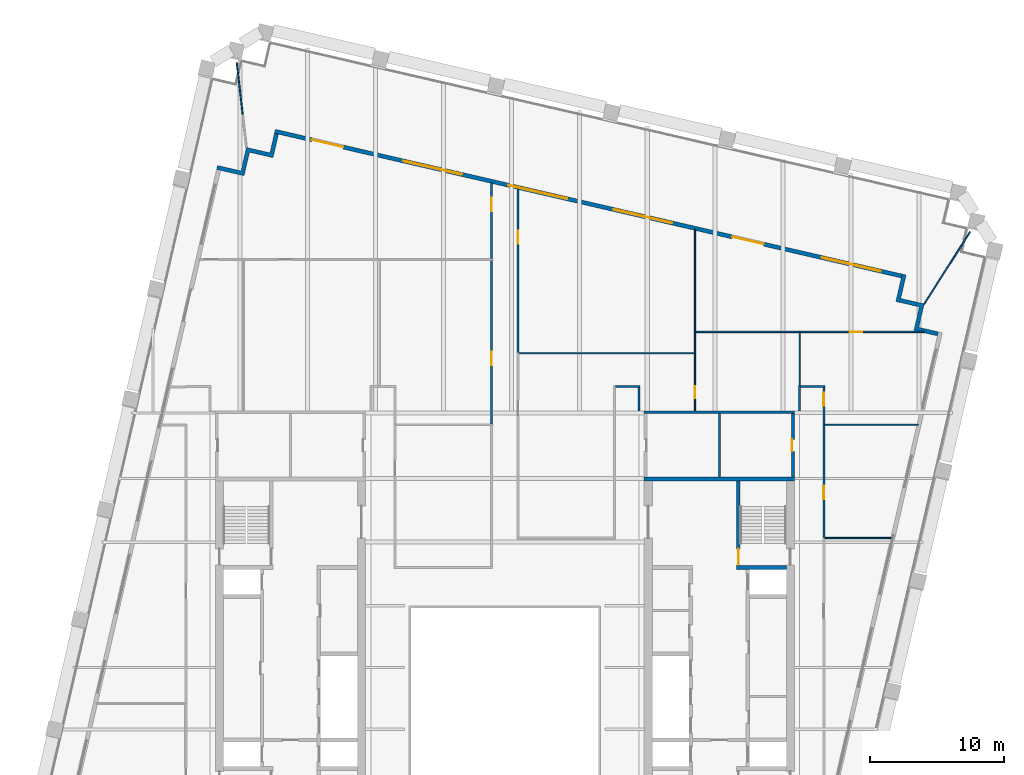
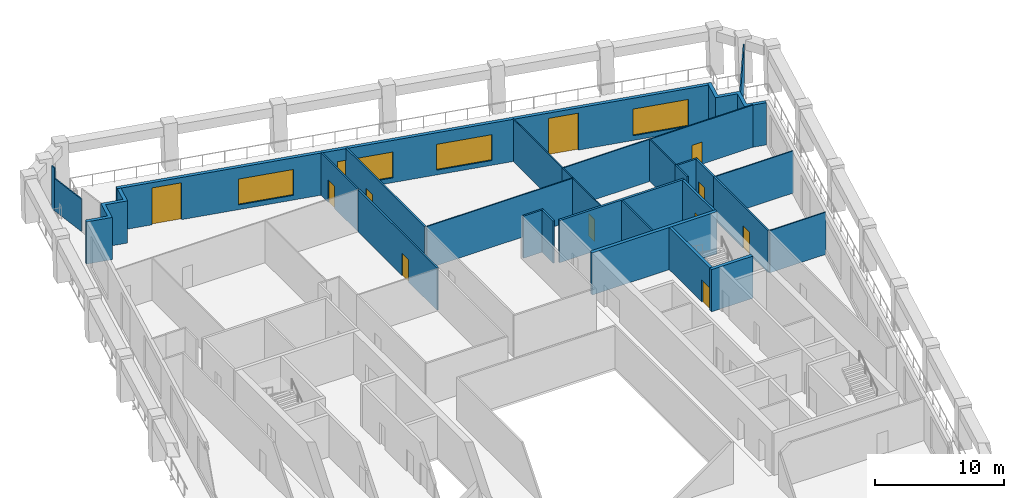
# One storey, part 7 of 9: 30 walls, 11 doors, 4 windows, 15 openings.
"""IFC4 building model written with IfcOpenShell, lengths in metres."""

from ifc_helpers import new_model, si_unit, direction, frame, frame_2d, origin, place, context, subcontext, project, spatial, polyline, rectangle, outline, extrude, material, layer, layer_set, type_object, element, fill, save


model = new_model("IFC4")

# Units and contexts
model_context = context("Model", 3, precision=1e-05, world=origin(), true_north=direction((0.0, 1.0)))
body_context = subcontext(model_context, "Body", "Model", "MODEL_VIEW")
ifc_project = project(units=[si_unit("LENGTHUNIT", "METRE"), si_unit("AREAUNIT", "SQUARE_METRE"), si_unit("VOLUMEUNIT", "CUBIC_METRE"), si_unit("PLANEANGLEUNIT", "RADIAN"), si_unit("MASSUNIT", "GRAM", prefix="KILO")], contexts=[model_context])

# Site, building, storey
site_placement = place(None, origin())
site = spatial("IfcSite", under=ifc_project, at=site_placement, CompositionType="ELEMENT")
building_placement = place(site_placement, origin())
building = spatial("IfcBuilding", under=site, at=building_placement, Name="Ogive Exchange Tower", CompositionType="ELEMENT")
storey_placement = place(building_placement, frame((0.0, 0.0, 285.0)))
storey = spatial("IfcBuildingStorey", under=building, at=storey_placement, Name="L62", CompositionType="ELEMENT", Elevation=285.0)

# Wall
ifc_material_1 = material(Name="Gypsum board partition")
ifc_layer_1 = layer(ifc_material_1, 0.14990234375)
ifc_layer_set_1 = layer_set([ifc_layer_1], Name="Core room partition 150 gypsum")
wall_type_1 = type_object("IfcWallType", Name="Core room partition 150 gypsum", PredefinedType="PARTITIONING", material=ifc_layer_set_1)
wall_1_placement = place(storey_placement, frame((16.0, 25.75, 0.0), z_axis=(0.0, 0.0, 1.0), x_axis=(0.0, 1.0, 0.0)))
element("IfcWall", 1, at=wall_1_placement, inside=storey, type_object=wall_type_1, Name="E annex N column wall", PredefinedType="PARTITIONING", context=body_context, shape_type="SweptSolid", body=[
    extrude(rectangle(XDim=4.75, YDim=0.14990234375, at=frame_2d((2.375, 0.0))), origin(), (0.0, 0.0, 1.0), 4.0),
])

# Wall, opening, door
ifc_material_2 = material(Name="Fire partition EI 60 150")
ifc_layer_2 = layer(ifc_material_2, 0.14990234375)
ifc_layer_set_2 = layer_set([ifc_layer_2], Name="Fire partition EI 60 150")
wall_type_2 = type_object("IfcWallType", Name="Fire partition EI 60 150", PredefinedType="PARTITIONING", material=ifc_layer_set_2)
wall_2_placement = place(storey_placement, frame((-0.989990234375, 29.7099609375, 0.0), z_axis=(0.0, 0.0, 1.0), x_axis=(0.0, 1.0, 0.0)))
wall_2 = element("IfcWall", 2, at=wall_2_placement, inside=storey, type_object=wall_type_2, Name="L62-PWL-025", PredefinedType="PARTITIONING", context=body_context, shape_type="SweptSolid", body=[
    extrude(rectangle(XDim=12.239990234375, YDim=0.14990234375, at=frame_2d((6.1201171875, 0.0))), origin(), (0.0, 0.0, 1.0), 4.0),
])
opening_1_placement = place(wall_2_placement, frame((4.389892578125, 0.0, 0.0)))
opening_1 = element("IfcOpeningElement", 3, at=opening_1_placement, cuts=wall_2, Name="Opening L62-I12", PredefinedType="OPENING", context=body_context, shape_type="SweptSolid", body=[
    extrude(rectangle(XDim=1.0, YDim=2.10009765625, at=frame_2d((0.5, 1.050048828125))), frame((0.0, 0.0849609375, 0.0), z_axis=(0.0, -1.0, 0.0), x_axis=(1.0, 0.0, 0.0)), (0.0, 0.0, 1.0), 0.169921875),
])
ifc_material_3 = material(Name="Fire door FD 30S 1000 x 2100")
door_type_1 = type_object("IfcDoorType", Name="Fire door FD 30S 1000 x 2100", OperationType="NOTDEFINED", PredefinedType="DOOR", material=ifc_material_3)
door_1_placement = place(opening_1_placement, origin())
door_1 = element("IfcDoor", 4, at=door_1_placement, inside=storey, type_object=door_type_1, Name="L62-IDR-012", ObjectType="DT3", OperationType="SINGLE_SWING_LEFT", OverallHeight=2.10009765625, OverallWidth=1.0, PredefinedType="DOOR", context=body_context, shape_type="SweptSolid", body=[
    extrude(rectangle(XDim=1.0, YDim=2.10009765625, at=frame_2d((0.5, 1.050048828125))), frame((0.0, 0.02490234375, 0.0), z_axis=(0.0, -1.0, 0.0), x_axis=(1.0, 0.0, 0.0)), (0.0, 0.0, 1.0), 0.050048828125),
])
fill(opening_1, door_1)

wall_3_placement = place(storey_placement, frame((-0.989990234375, 42.050048828125, 0.0), z_axis=(0.0, 0.0, 1.0), x_axis=(0.0, 1.0, 0.0)))
wall_3 = element("IfcWall", 5, at=wall_3_placement, inside=storey, type_object=wall_type_2, Name="L62-PWL-026", PredefinedType="PARTITIONING", context=body_context, shape_type="SweptSolid", body=[
    extrude(rectangle(XDim=5.702880859375, YDim=0.14990234375, at=frame_2d((2.8515625, 0.0))), origin(), (0.0, 0.0, 1.0), 4.0),
])
opening_2_placement = place(wall_3_placement, frame((3.530029296875, 0.0, 0.0)))
opening_2 = element("IfcOpeningElement", 6, at=opening_2_placement, cuts=wall_3, Name="Opening L62-I13", PredefinedType="OPENING", context=body_context, shape_type="SweptSolid", body=[
    extrude(rectangle(XDim=1.0, YDim=2.10009765625, at=frame_2d((0.5, 1.050048828125))), frame((0.0, 0.0849609375, 0.0), z_axis=(0.0, -1.0, 0.0), x_axis=(1.0, 0.0, 0.0)), (0.0, 0.0, 1.0), 0.169921875),
])
door_2_placement = place(opening_2_placement, origin())
door_2 = element("IfcDoor", 7, at=door_2_placement, inside=storey, type_object=door_type_1, Name="L62-IDR-013", ObjectType="DT3", OperationType="SINGLE_SWING_LEFT", OverallHeight=2.10009765625, OverallWidth=1.0, PredefinedType="DOOR", context=body_context, shape_type="SweptSolid", body=[
    extrude(rectangle(XDim=1.0, YDim=2.10009765625, at=frame_2d((0.5, 1.050048828125))), frame((0.0, 0.02490234375, 0.0), z_axis=(0.0, -1.0, 0.0), x_axis=(1.0, 0.0, 0.0)), (0.0, 0.0, 1.0), 0.050048828125),
])
fill(opening_2, door_2)

wall_4_placement = place(storey_placement, frame((0.989990234375, 47.2958984375, 0.0), z_axis=(0.0, 0.0, 1.0), x_axis=(0.0, -1.0, 0.0)))
wall_4 = element("IfcWall", 8, at=wall_4_placement, inside=storey, type_object=wall_type_2, Name="L62-PWL-030", PredefinedType="PARTITIONING", context=body_context, shape_type="SweptSolid", body=[
    extrude(rectangle(XDim=12.245849609375, YDim=0.14990234375, at=frame_2d((6.123046875, 0.0))), origin(), (0.0, 0.0, 1.0), 4.0),
])
opening_3_placement = place(wall_4_placement, frame((3.14599609375, 0.0, 0.0)))
opening_3 = element("IfcOpeningElement", 9, at=opening_3_placement, cuts=wall_4, Name="Opening L62-I03", PredefinedType="OPENING", context=body_context, shape_type="SweptSolid", body=[
    extrude(rectangle(XDim=1.0, YDim=2.10009765625, at=frame_2d((0.5, 1.050048828125))), frame((0.0, 0.0849609375, 0.0), z_axis=(0.0, -1.0, 0.0), x_axis=(1.0, 0.0, 0.0)), (0.0, 0.0, 1.0), 0.169921875),
])
door_3_placement = place(opening_3_placement, origin())
door_3 = element("IfcDoor", 10, at=door_3_placement, inside=storey, type_object=door_type_1, Name="L62-IDR-003", ObjectType="DT3", OperationType="SINGLE_SWING_RIGHT", OverallHeight=2.10009765625, OverallWidth=1.0, PredefinedType="DOOR", context=body_context, shape_type="SweptSolid", body=[
    extrude(rectangle(XDim=1.0, YDim=2.10009765625, at=frame_2d((0.5, 1.050048828125))), frame((0.0, 0.02490234375, 0.0), z_axis=(0.0, -1.0, 0.0), x_axis=(1.0, 0.0, 0.0)), (0.0, 0.0, 1.0), 0.050048828125),
])
fill(opening_3, door_3)

# Walls
wall_5_placement = place(storey_placement, frame((8.27490234375, 32.5, 0.0), z_axis=(0.0, 0.0, 1.0), x_axis=(1.0, 0.0, 0.0)))
element("IfcWall", 11, at=wall_5_placement, inside=storey, type_object=wall_type_2, Name="L62-PWL-032", PredefinedType="PARTITIONING", context=body_context, shape_type="SweptSolid", body=[
    extrude(rectangle(XDim=1.800048828125, YDim=0.14990234375, at=frame_2d((0.89990234375, 0.0))), origin(), (0.0, 0.0, 1.0), 4.0),
])
wall_6_placement = place(storey_placement, frame((10.0, 32.425048828125, 0.0), z_axis=(0.0, 0.0, 1.0), x_axis=(0.0, -1.0, 0.0)))
element("IfcWall", 12, at=wall_6_placement, inside=storey, type_object=wall_type_2, Name="L62-PWL-035", PredefinedType="PARTITIONING", context=body_context, shape_type="SweptSolid", body=[
    extrude(rectangle(XDim=1.72509765625, YDim=0.14990234375, at=frame_2d((0.862548828125, 0.0))), origin(), (0.0, 0.0, 1.0), 4.0),
])
wall_7_placement = place(storey_placement, frame((22.0, 30.699951171875, 0.0), z_axis=(0.0, 0.0, 1.0), x_axis=(0.0, 1.0, 0.0)))
element("IfcWall", 13, at=wall_7_placement, inside=storey, type_object=wall_type_2, Name="L62-PWL-041", PredefinedType="PARTITIONING", context=body_context, shape_type="SweptSolid", body=[
    extrude(rectangle(XDim=1.875, YDim=0.14990234375, at=frame_2d((0.9375, 0.0))), origin(), (0.0, 0.0, 1.0), 4.0),
])
wall_8_placement = place(storey_placement, frame((22.074951171875, 32.5, 0.0), z_axis=(0.0, 0.0, 1.0), x_axis=(1.0, 0.0, 0.0)))
element("IfcWall", 14, at=wall_8_placement, inside=storey, type_object=wall_type_2, Name="L62-PWL-042", PredefinedType="PARTITIONING", context=body_context, shape_type="SweptSolid", body=[
    extrude(rectangle(XDim=1.800048828125, YDim=0.14990234375, at=frame_2d((0.89990234375, 0.0))), origin(), (0.0, 0.0, 1.0), 4.0),
])

# Wall, opening, door
wall_9_placement = place(storey_placement, frame((23.800048828125, 29.7099609375, 0.0), z_axis=(0.0, 0.0, 1.0), x_axis=(0.0, -1.0, 0.0)))
wall_9 = element("IfcWall", 15, at=wall_9_placement, inside=storey, type_object=wall_type_2, Name="L62-PWL-049", PredefinedType="PARTITIONING", context=body_context, shape_type="SweptSolid", body=[
    extrude(rectangle(XDim=8.449951171875, YDim=0.14990234375, at=frame_2d((4.22509765625, 0.0))), origin(), (0.0, 0.0, 1.0), 4.0),
])
opening_4_placement = place(wall_9_placement, frame((4.60009765625, 0.0, 0.0)))
opening_4 = element("IfcOpeningElement", 16, at=opening_4_placement, cuts=wall_9, Name="Opening L62-I06", PredefinedType="OPENING", context=body_context, shape_type="SweptSolid", body=[
    extrude(rectangle(XDim=1.0, YDim=2.10009765625, at=frame_2d((0.5, 1.050048828125))), frame((0.0, 0.0849609375, 0.0), z_axis=(0.0, -1.0, 0.0), x_axis=(1.0, 0.0, 0.0)), (0.0, 0.0, 1.0), 0.169921875),
])
door_4_placement = place(opening_4_placement, origin())
door_4 = element("IfcDoor", 17, at=door_4_placement, inside=storey, type_object=door_type_1, Name="L62-IDR-006", ObjectType="DT3", OperationType="SINGLE_SWING_LEFT", OverallHeight=2.10009765625, OverallWidth=1.0, PredefinedType="DOOR", context=body_context, shape_type="SweptSolid", body=[
    extrude(rectangle(XDim=1.0, YDim=2.10009765625, at=frame_2d((0.5, 1.050048828125))), frame((0.0, 0.02490234375, 0.0), z_axis=(0.0, -1.0, 0.0), x_axis=(1.0, 0.0, 0.0)), (0.0, 0.0, 1.0), 0.050048828125),
])
fill(opening_4, door_4)

wall_10_placement = place(storey_placement, frame((23.800048828125, 32.425048828125, 0.0), z_axis=(0.0, 0.0, 1.0), x_axis=(0.0, -1.0, 0.0)))
wall_10 = element("IfcWall", 18, at=wall_10_placement, inside=storey, type_object=wall_type_2, Name="L62-PWL-051", PredefinedType="PARTITIONING", context=body_context, shape_type="SweptSolid", body=[
    extrude(rectangle(XDim=2.715087890625, YDim=0.14990234375, at=frame_2d((1.357421875, 0.0))), origin(), (0.0, 0.0, 1.0), 4.0),
])
opening_5_placement = place(wall_10_placement, frame((0.364990234375, 0.0, 0.0)))
opening_5 = element("IfcOpeningElement", 19, at=opening_5_placement, cuts=wall_10, Name="Opening L62-I07", PredefinedType="OPENING", context=body_context, shape_type="SweptSolid", body=[
    extrude(rectangle(XDim=1.0, YDim=2.10009765625, at=frame_2d((0.5, 1.050048828125))), frame((0.0, 0.0849609375, 0.0), z_axis=(0.0, -1.0, 0.0), x_axis=(1.0, 0.0, 0.0)), (0.0, 0.0, 1.0), 0.169921875),
])
door_5_placement = place(opening_5_placement, origin())
door_5 = element("IfcDoor", 20, at=door_5_placement, inside=storey, type_object=door_type_1, Name="L62-IDR-007", ObjectType="DT3", OperationType="SINGLE_SWING_LEFT", OverallHeight=2.10009765625, OverallWidth=1.0, PredefinedType="DOOR", context=body_context, shape_type="SweptSolid", body=[
    extrude(rectangle(XDim=1.0, YDim=2.10009765625, at=frame_2d((0.5, 1.050048828125))), frame((0.0, 0.02490234375, 0.0), z_axis=(0.0, -1.0, 0.0), x_axis=(1.0, 0.0, 0.0)), (0.0, 0.0, 1.0), 0.050048828125),
])
fill(opening_5, door_5)

# Wall, openings, doors, windows
ifc_material_4 = material(Name="Precast concrete C40/50", Category="concrete")
ifc_layer_3 = layer(ifc_material_4, 0.300048828125)
ifc_layer_set_3 = layer_set([ifc_layer_3], Name="Limestone-faced wall 300")
wall_type_3 = type_object("IfcWallType", Name="Limestone-faced wall 300", PredefinedType="STANDARD", material=ifc_layer_set_3)
wall_11_placement = place(storey_placement, frame((29.6162109375, 40.75830078125, 0.0), z_axis=(0.0, 0.0, 1.0), x_axis=(-0.974370532314, 0.224949029246, 0.0)))
wall_11 = element("IfcWall", 21, at=wall_11_placement, inside=storey, type_object=wall_type_3, Name="External wall N3", PredefinedType="STANDARD", context=body_context, shape_type="SweptSolid", body=[
    extrude(rectangle(XDim=48.000244140625, YDim=0.300048828125, at=frame_2d((24.0, 0.0))), origin(), (0.0, 0.0, 1.0), 4.0),
])
opening_6_placement = place(wall_11_placement, frame((1.625, 0.0, 0.449951171875)))
opening_6 = element("IfcOpeningElement", 22, at=opening_6_placement, cuts=wall_11, Name="Opening W1N", PredefinedType="OPENING", context=body_context, shape_type="SweptSolid", body=[
    extrude(rectangle(XDim=4.5, YDim=2.52490234375, at=frame_2d((2.25, 1.262451171875))), frame((0.0, 0.159912109375, 0.0), z_axis=(0.0, -1.0, 0.0), x_axis=(1.0, 0.0, 0.0)), (0.0, 0.0, 1.0), 0.320068359375),
])
opening_7_placement = place(wall_11_placement, frame((10.574951171875, 0.0, 0.0)))
opening_7 = element("IfcOpeningElement", 23, at=opening_7_placement, cuts=wall_11, Name="Opening D1", PredefinedType="OPENING", context=body_context, shape_type="SweptSolid", body=[
    extrude(rectangle(XDim=2.39990234375, YDim=3.5, at=frame_2d((1.199951171875, 1.75))), frame((0.0, 0.159912109375, 0.0), z_axis=(0.0, -1.0, 0.0), x_axis=(1.0, 0.0, 0.0)), (0.0, 0.0, 1.0), 0.320068359375),
])
opening_8_placement = place(wall_11_placement, frame((17.574951171875, 0.0, 0.449951171875)))
opening_8 = element("IfcOpeningElement", 24, at=opening_8_placement, cuts=wall_11, Name="Opening W1Q", PredefinedType="OPENING", context=body_context, shape_type="SweptSolid", body=[
    extrude(rectangle(XDim=4.5, YDim=2.449951171875, at=frame_2d((2.25, 1.22509765625))), frame((0.0, 0.159912109375, 0.0), z_axis=(0.0, -1.0, 0.0), x_axis=(1.0, 0.0, 0.0)), (0.0, 0.0, 1.0), 0.320068359375),
])
opening_9_placement = place(wall_11_placement, frame((25.625, 0.0, 0.449951171875)))
opening_9 = element("IfcOpeningElement", 25, at=opening_9_placement, cuts=wall_11, Name="Opening W1Q", PredefinedType="OPENING", context=body_context, shape_type="SweptSolid", body=[
    extrude(rectangle(XDim=4.5, YDim=2.449951171875, at=frame_2d((2.25, 1.22509765625))), frame((0.0, 0.159912109375, 0.0), z_axis=(0.0, -1.0, 0.0), x_axis=(1.0, 0.0, 0.0)), (0.0, 0.0, 1.0), 0.320068359375),
])
opening_10_placement = place(wall_11_placement, frame((33.675048828125, 0.0, 0.449951171875)))
opening_10 = element("IfcOpeningElement", 26, at=opening_10_placement, cuts=wall_11, Name="Opening W1Q", PredefinedType="OPENING", context=body_context, shape_type="SweptSolid", body=[
    extrude(rectangle(XDim=4.5, YDim=2.449951171875, at=frame_2d((2.25, 1.22509765625))), frame((0.0, 0.159912109375, 0.0), z_axis=(0.0, -1.0, 0.0), x_axis=(1.0, 0.0, 0.0)), (0.0, 0.0, 1.0), 0.320068359375),
])
opening_11_placement = place(wall_11_placement, frame((42.77490234375, 0.0, 0.0)))
opening_11 = element("IfcOpeningElement", 27, at=opening_11_placement, cuts=wall_11, Name="Opening D1", PredefinedType="OPENING", context=body_context, shape_type="SweptSolid", body=[
    extrude(rectangle(XDim=2.39990234375, YDim=3.5, at=frame_2d((1.199951171875, 1.75))), frame((0.0, 0.159912109375, 0.0), z_axis=(0.0, -1.0, 0.0), x_axis=(1.0, 0.0, 0.0)), (0.0, 0.0, 1.0), 0.320068359375),
])
ifc_material_5 = material(Name="Clear glass in bronze frame", Category="glass")
door_type_2 = type_object("IfcDoorType", Name="Sliding loggia door 2400 x 3500", OperationType="DOUBLE_DOOR_SLIDING", PredefinedType="DOOR", material=ifc_material_5)
door_6_placement = place(opening_7_placement, origin())
door_6 = element("IfcDoor", 28, at=door_6_placement, inside=storey, type_object=door_type_2, Name="Loggia door N01", OperationType="DOUBLE_DOOR_SLIDING", OverallHeight=3.5, OverallWidth=2.39990234375, PredefinedType="DOOR", context=body_context, shape_type="SweptSolid", body=[
    extrude(rectangle(XDim=2.39990234375, YDim=3.5, at=frame_2d((1.199951171875, 1.75))), frame((0.0, 0.02490234375, 0.0), z_axis=(0.0, -1.0, 0.0), x_axis=(1.0, 0.0, 0.0)), (0.0, 0.0, 1.0), 0.050048828125),
])
fill(opening_7, door_6)
door_7_placement = place(opening_11_placement, origin())
door_7 = element("IfcDoor", 29, at=door_7_placement, inside=storey, type_object=door_type_2, Name="Loggia door N05", OperationType="DOUBLE_DOOR_SLIDING", OverallHeight=3.5, OverallWidth=2.39990234375, PredefinedType="DOOR", context=body_context, shape_type="SweptSolid", body=[
    extrude(rectangle(XDim=2.39990234375, YDim=3.5, at=frame_2d((1.199951171875, 1.75))), frame((0.0, 0.02490234375, 0.0), z_axis=(0.0, -1.0, 0.0), x_axis=(1.0, 0.0, 0.0)), (0.0, 0.0, 1.0), 0.050048828125),
])
fill(opening_11, door_7)
window_type_1 = type_object("IfcWindowType", Name="Twin lancet window 4500 x 2450", PartitioningType="DOUBLE_PANEL_VERTICAL", PredefinedType="WINDOW", material=ifc_material_5)
window_1_placement = place(opening_8_placement, origin())
window_1 = element("IfcWindow", 30, at=window_1_placement, inside=storey, type_object=window_type_1, Name="Window N02", OverallHeight=2.449951171875, OverallWidth=4.5, PartitioningType="DOUBLE_PANEL_VERTICAL", PredefinedType="WINDOW", context=body_context, shape_type="SweptSolid", body=[
    extrude(rectangle(XDim=4.5, YDim=2.449951171875, at=frame_2d((2.25, 1.22509765625))), frame((0.0, 0.030029296875, 0.0), z_axis=(0.0, -1.0, 0.0), x_axis=(1.0, 0.0, 0.0)), (0.0, 0.0, 1.0), 0.06005859375),
])
fill(opening_8, window_1)
window_2_placement = place(opening_9_placement, origin())
window_2 = element("IfcWindow", 31, at=window_2_placement, inside=storey, type_object=window_type_1, Name="Window N03", OverallHeight=2.449951171875, OverallWidth=4.5, PartitioningType="DOUBLE_PANEL_VERTICAL", PredefinedType="WINDOW", context=body_context, shape_type="SweptSolid", body=[
    extrude(rectangle(XDim=4.5, YDim=2.449951171875, at=frame_2d((2.25, 1.22509765625))), frame((0.0, 0.030029296875, 0.0), z_axis=(0.0, -1.0, 0.0), x_axis=(1.0, 0.0, 0.0)), (0.0, 0.0, 1.0), 0.06005859375),
])
fill(opening_9, window_2)
window_3_placement = place(opening_10_placement, origin())
window_3 = element("IfcWindow", 32, at=window_3_placement, inside=storey, type_object=window_type_1, Name="Window N04", OverallHeight=2.449951171875, OverallWidth=4.5, PartitioningType="DOUBLE_PANEL_VERTICAL", PredefinedType="WINDOW", context=body_context, shape_type="SweptSolid", body=[
    extrude(rectangle(XDim=4.5, YDim=2.449951171875, at=frame_2d((2.25, 1.22509765625))), frame((0.0, 0.030029296875, 0.0), z_axis=(0.0, -1.0, 0.0), x_axis=(1.0, 0.0, 0.0)), (0.0, 0.0, 1.0), 0.06005859375),
])
fill(opening_10, window_3)
window_type_2 = type_object("IfcWindowType", Name="Twin lancet window 4500 x 2525", PartitioningType="DOUBLE_PANEL_VERTICAL", PredefinedType="WINDOW", material=ifc_material_5)
window_4_placement = place(opening_6_placement, origin())
window_4 = element("IfcWindow", 33, at=window_4_placement, inside=storey, type_object=window_type_2, Name="Window N00", OverallHeight=2.52490234375, OverallWidth=4.5, PartitioningType="DOUBLE_PANEL_VERTICAL", PredefinedType="WINDOW", context=body_context, shape_type="SweptSolid", body=[
    extrude(rectangle(XDim=4.5, YDim=2.52490234375, at=frame_2d((2.25, 1.262451171875))), frame((0.0, 0.030029296875, 0.0), z_axis=(0.0, -1.0, 0.0), x_axis=(1.0, 0.0, 0.0)), (0.0, 0.0, 1.0), 0.06005859375),
])
fill(opening_6, window_4)

# Walls
wall_12_placement = place(storey_placement, origin())
element("IfcWall", 34, at=wall_12_placement, inside=storey, type_object=wall_type_3, Name="External corner wall C2", PredefinedType="STANDARD", context=body_context, shape_type="SweptSolid", body=[
    extrude(outline(polyline([(30.931396484375, 38.453369140625), (29.177490234375, 38.8583984375), (29.64990234375, 40.904541015625), (29.942138671875, 40.8369140625), (29.537109375, 39.0830078125), (31.291015625, 38.67822265625), (30.88623046875, 36.92431640625), (32.34765625, 36.5869140625), (32.2802734375, 36.294677734375), (30.5263671875, 36.699462890625), (30.931396484375, 38.453369140625)])), origin(), (0.0, 0.0, 1.0), 4.0),
])
wall_13_placement = place(storey_placement, origin())
element("IfcWall", 35, at=wall_13_placement, inside=storey, type_object=wall_type_3, Name="External corner wall C3", PredefinedType="STANDARD", context=body_context, shape_type="SweptSolid", body=[
    extrude(outline(polyline([(-21.5048828125, 48.7119140625), (-21.4375, 49.004150390625), (-19.68359375, 48.599365234375), (-19.27880859375, 50.353271484375), (-17.52490234375, 49.9482421875), (-17.1875, 51.409912109375), (-16.89501953125, 51.34228515625), (-17.300048828125, 49.58837890625), (-19.053955078125, 49.993408203125), (-19.458740234375, 48.239501953125), (-21.5048828125, 48.7119140625)])), origin(), (0.0, 0.0, 1.0), 4.0),
])
ifc_material_6 = material(Name="Laminated safety glass in steel frame", Category="steel")
ifc_layer_4 = layer(ifc_material_6, 0.10009765625)
ifc_layer_set_4 = layer_set([ifc_layer_4], Name="Loggia end screen 100")
wall_type_4 = type_object("IfcWallType", Name="Loggia end screen 100", PredefinedType="STANDARD", material=ifc_layer_set_4)
wall_14_placement = place(storey_placement, frame((31.291015625, 38.67822265625, -0.050048828125), z_axis=(0.0, 0.0, 1.0), x_axis=(0.537850870221, 0.843039999883, 0.0)))
element("IfcWall", 36, at=wall_14_placement, inside=storey, type_object=wall_type_4, Name="Loggia end screen C2", PredefinedType="STANDARD", context=body_context, shape_type="SweptSolid", body=[
    extrude(rectangle(XDim=6.37890625, YDim=0.10009765625, at=frame_2d((3.189453125, 0.0))), origin(), (0.0, 0.0, 1.0), 4.050048828125),
])
wall_15_placement = place(storey_placement, frame((-19.559326171875, 52.802978515625, -0.050048828125), z_axis=(0.0, 0.0, 1.0), x_axis=(-0.113860641109, 0.993496730949, 0.0)))
element("IfcWall", 37, at=wall_15_placement, inside=storey, type_object=wall_type_4, Name="Loggia end screen C3", PredefinedType="STANDARD", context=body_context, shape_type="SweptSolid", body=[
    extrude(rectangle(XDim=3.5078125, YDim=0.10009765625, at=frame_2d((1.75390625, 0.0))), origin(), (0.0, 0.0, 1.0), 3.070068359375),
])
wall_16_placement = place(storey_placement, frame((-19.958740234375, 56.2880859375, -0.050048828125), z_axis=(0.0, 0.0, 1.0), x_axis=(-0.113869431018, 0.993495723534, 0.0)))
element("IfcWall", 38, at=wall_16_placement, inside=storey, type_object=wall_type_4, Name="Loggia end screen C3", PredefinedType="STANDARD", context=body_context, shape_type="SweptSolid", body=[
    extrude(rectangle(XDim=0.4052734375, YDim=0.10009765625, at=frame_2d((0.20263671875, 0.0))), origin(), (0.0, 0.0, 1.0), 4.050048828125),
])
ifc_material_7 = material(Name="Partition 100 gypsum")
ifc_layer_5 = layer(ifc_material_7, 0.10009765625)
ifc_layer_set_5 = layer_set([ifc_layer_5], Name="Partition 100 gypsum")
wall_type_5 = type_object("IfcWallType", Name="Partition 100 gypsum", PredefinedType="PARTITIONING", material=ifc_layer_set_5)
wall_17_placement = place(storey_placement, frame((14.239990234375, 35.0, 0.0), z_axis=(0.0, 0.0, 1.0), x_axis=(-1.0, 0.0, 0.0)))
element("IfcWall", 39, at=wall_17_placement, inside=storey, type_object=wall_type_5, Name="L62-PWL-036", PredefinedType="PARTITIONING", context=body_context, shape_type="SweptSolid", body=[
    extrude(rectangle(XDim=13.175048828125, YDim=0.10009765625, at=frame_2d((6.58740234375, 0.0))), origin(), (0.0, 0.0, 1.0), 4.0),
])

# Wall, opening, door
wall_18_placement = place(storey_placement, frame((14.18994140625, 34.949951171875, 0.0), z_axis=(0.0, 0.0, 1.0), x_axis=(0.0, -1.0, 0.0)))
wall_18 = element("IfcWall", 40, at=wall_18_placement, inside=storey, type_object=wall_type_5, Name="L62-PWL-037", PredefinedType="PARTITIONING", context=body_context, shape_type="SweptSolid", body=[
    extrude(rectangle(XDim=4.25, YDim=0.10009765625, at=frame_2d((2.125, 0.0))), origin(), (0.0, 0.0, 1.0), 4.0),
])
opening_12_placement = place(wall_18_placement, frame((2.39990234375, 0.0, 0.0)))
opening_12 = element("IfcOpeningElement", 41, at=opening_12_placement, cuts=wall_18, Name="Opening L62-I05", PredefinedType="OPENING", context=body_context, shape_type="SweptSolid", body=[
    extrude(rectangle(XDim=0.89990234375, YDim=2.10009765625, at=frame_2d((0.449951171875, 1.050048828125))), frame((0.0, 0.06005859375, 0.0), z_axis=(0.0, -1.0, 0.0), x_axis=(1.0, 0.0, 0.0)), (0.0, 0.0, 1.0), 0.1201171875),
])
ifc_material_8 = material(Name="Door 900 x 2100")
door_type_3 = type_object("IfcDoorType", Name="Door 900 x 2100", OperationType="NOTDEFINED", PredefinedType="DOOR", material=ifc_material_8)
door_8_placement = place(opening_12_placement, origin())
door_8 = element("IfcDoor", 42, at=door_8_placement, inside=storey, type_object=door_type_3, Name="L62-IDR-005", ObjectType="DT1", OperationType="SINGLE_SWING_LEFT", OverallHeight=2.10009765625, OverallWidth=0.89990234375, PredefinedType="DOOR", context=body_context, shape_type="SweptSolid", body=[
    extrude(rectangle(XDim=0.89990234375, YDim=2.10009765625, at=frame_2d((0.449951171875, 1.050048828125))), frame((0.0, 0.02490234375, 0.0), z_axis=(0.0, -1.0, 0.0), x_axis=(1.0, 0.0, 0.0)), (0.0, 0.0, 1.0), 0.050048828125),
])
fill(opening_12, door_8)

# Walls
wall_19_placement = place(storey_placement, frame((14.18994140625, 36.639892578125, 0.0), z_axis=(0.0, 0.0, 1.0), x_axis=(0.0, -1.0, 0.0)))
element("IfcWall", 43, at=wall_19_placement, inside=storey, type_object=wall_type_5, Name="L62-PWL-038", PredefinedType="PARTITIONING", context=body_context, shape_type="SweptSolid", body=[
    extrude(rectangle(XDim=1.58984375, YDim=0.10009765625, at=frame_2d((0.794921875, 0.0))), origin(), (0.0, 0.0, 1.0), 4.0),
])
wall_20_placement = place(storey_placement, frame((14.239990234375, 36.590087890625, 0.0), z_axis=(0.0, 0.0, 1.0), x_axis=(1.0, 0.0, 0.0)))
element("IfcWall", 44, at=wall_20_placement, inside=storey, type_object=wall_type_5, Name="L62-PWL-039", PredefinedType="PARTITIONING", context=body_context, shape_type="SweptSolid", body=[
    extrude(rectangle(XDim=7.760009765625, YDim=0.10009765625, at=frame_2d((3.8798828125, 0.0))), origin(), (0.0, 0.0, 1.0), 4.0),
])
wall_21_placement = place(storey_placement, frame((14.18994140625, 44.248046875, 0.0), z_axis=(0.0, 0.0, 1.0), x_axis=(0.0, -1.0, 0.0)))
element("IfcWall", 45, at=wall_21_placement, inside=storey, type_object=wall_type_5, Name="L62-PWL-040", PredefinedType="PARTITIONING", context=body_context, shape_type="SweptSolid", body=[
    extrude(rectangle(XDim=7.657958984375, YDim=0.10009765625, at=frame_2d((3.8291015625, 0.0))), origin(), (0.0, 0.0, 1.0), 4.0),
])
wall_22_placement = place(storey_placement, frame((22.0, 36.5400390625, 0.0), z_axis=(0.0, 0.0, 1.0), x_axis=(0.0, -1.0, 0.0)))
element("IfcWall", 46, at=wall_22_placement, inside=storey, type_object=wall_type_5, Name="L62-PWL-043", PredefinedType="PARTITIONING", context=body_context, shape_type="SweptSolid", body=[
    extrude(rectangle(XDim=3.965087890625, YDim=0.10009765625, at=frame_2d((1.982421875, 0.0))), origin(), (0.0, 0.0, 1.0), 4.0),
])

# Wall, opening, door
wall_23_placement = place(storey_placement, frame((22.0, 36.590087890625, 0.0), z_axis=(0.0, 0.0, 1.0), x_axis=(1.0, 0.0, 0.0)))
wall_23 = element("IfcWall", 47, at=wall_23_placement, inside=storey, type_object=wall_type_5, Name="L62-PWL-044", PredefinedType="PARTITIONING", context=body_context, shape_type="SweptSolid", body=[
    extrude(rectangle(XDim=9.2451171875, YDim=0.10009765625, at=frame_2d((4.62255859375, 0.0))), origin(), (0.0, 0.0, 1.0), 4.0),
])
opening_13_placement = place(wall_23_placement, frame((3.75, 0.0, 0.0)))
opening_13 = element("IfcOpeningElement", 48, at=opening_13_placement, cuts=wall_23, Name="Opening L62-I08", PredefinedType="OPENING", context=body_context, shape_type="SweptSolid", body=[
    extrude(rectangle(XDim=0.89990234375, YDim=2.10009765625, at=frame_2d((0.449951171875, 1.050048828125))), frame((0.0, 0.06005859375, 0.0), z_axis=(0.0, -1.0, 0.0), x_axis=(1.0, 0.0, 0.0)), (0.0, 0.0, 1.0), 0.1201171875),
])
door_9_placement = place(opening_13_placement, frame((0.89990234375, 0.0, 0.0), z_axis=(0.0, 0.0, 1.0), x_axis=(-1.0, 0.0, 0.0)))
door_9 = element("IfcDoor", 49, at=door_9_placement, inside=storey, type_object=door_type_3, Name="L62-IDR-008", ObjectType="DT1", OperationType="SINGLE_SWING_LEFT", OverallHeight=2.10009765625, OverallWidth=0.89990234375, PredefinedType="DOOR", context=body_context, shape_type="SweptSolid", body=[
    extrude(rectangle(XDim=0.89990234375, YDim=2.10009765625, at=frame_2d((0.449951171875, 1.050048828125))), frame((0.0, 0.02490234375, 0.0), z_axis=(0.0, -1.0, 0.0), x_axis=(1.0, 0.0, 0.0)), (0.0, 0.0, 1.0), 0.050048828125),
])
fill(opening_13, door_9)

# Walls
wall_24_placement = place(storey_placement, frame((23.875, 21.2099609375, 0.0), z_axis=(0.0, 0.0, 1.0), x_axis=(1.0, 0.0, 0.0)))
element("IfcWall", 50, at=wall_24_placement, inside=storey, type_object=wall_type_5, Name="L62-PWL-048", PredefinedType="PARTITIONING", context=body_context, shape_type="SweptSolid", body=[
    extrude(rectangle(XDim=5.0048828125, YDim=0.10009765625, at=frame_2d((2.50244140625, 0.0))), origin(), (0.0, 0.0, 1.0), 4.0),
])
wall_25_placement = place(storey_placement, frame((23.875, 29.659912109375, 0.0), z_axis=(0.0, 0.0, 1.0), x_axis=(1.0, 0.0, 0.0)))
element("IfcWall", 51, at=wall_25_placement, inside=storey, type_object=wall_type_5, Name="L62-PWL-050", PredefinedType="PARTITIONING", context=body_context, shape_type="SweptSolid", body=[
    extrude(rectangle(XDim=6.9560546875, YDim=0.10009765625, at=frame_2d((3.47802734375, 0.0))), origin(), (0.0, 0.0, 1.0), 4.0),
])

# Wall, opening, door
ifc_material_9 = material(Name="Concrete C70/85", Category="concrete")
ifc_layer_6 = layer(ifc_material_9, 0.199951171875)
ifc_layer_set_6 = layer_set([ifc_layer_6], Name="RC core wall 200 C70/85")
wall_type_6 = type_object("IfcWallType", Name="RC core wall 200 C70/85", PredefinedType="SHEAR", material=ifc_layer_set_6)
wall_26_placement = place(storey_placement, frame((21.5, 25.75, 0.0), z_axis=(0.0, 0.0, 1.0), x_axis=(0.0, 1.0, 0.0)))
wall_26 = element("IfcWall", 52, at=wall_26_placement, inside=storey, type_object=wall_type_6, Name="E annex N outer wall", PredefinedType="SHEAR", context=body_context, shape_type="SweptSolid", body=[
    extrude(rectangle(XDim=4.75, YDim=0.199951171875, at=frame_2d((2.375, 0.0))), origin(), (0.0, 0.0, 1.0), 4.0),
])
opening_14_placement = place(wall_26_placement, frame((1.925048828125, 0.0, 0.0)))
opening_14 = element("IfcOpeningElement", 53, at=opening_14_placement, cuts=wall_26, Name="Opening L62-C37", PredefinedType="OPENING", context=body_context, shape_type="SweptSolid", body=[
    extrude(rectangle(XDim=0.89990234375, YDim=2.10009765625, at=frame_2d((0.449951171875, 1.050048828125))), frame((0.0, 0.10986328125, 0.0), z_axis=(0.0, -1.0, 0.0), x_axis=(1.0, 0.0, 0.0)), (0.0, 0.0, 1.0), 0.219970703125),
])
ifc_material_10 = material(Name="Steel fire door", Category="steel")
door_type_4 = type_object("IfcDoorType", Name="Riser door FD60 900 x 2100", OperationType="NOTDEFINED", PredefinedType="DOOR", material=ifc_material_10)
door_10_placement = place(opening_14_placement, frame((0.89990234375, 0.14990234375, 0.0), z_axis=(0.0, 0.0, 1.0), x_axis=(-1.0, 0.0, 0.0)))
door_10 = element("IfcDoor", 54, at=door_10_placement, inside=storey, type_object=door_type_4, Name="Riser door", ObjectType="CD2", OperationType="SINGLE_SWING_LEFT", OverallHeight=2.10009765625, OverallWidth=0.89990234375, PredefinedType="DOOR", context=body_context, shape_type="SweptSolid", body=[
    extrude(rectangle(XDim=0.89990234375, YDim=2.10009765625, at=frame_2d((0.449951171875, 1.050048828125))), frame((0.0, 0.10009765625, 0.0), z_axis=(0.0, -1.0, 0.0), x_axis=(1.0, 0.0, 0.0)), (0.0, 0.0, 1.0), 0.050048828125),
])
fill(opening_14, door_10)

# Wall
wall_27_placement = place(storey_placement, frame((10.39990234375, 30.60009765625, 0.0), z_axis=(0.0, 0.0, 1.0), x_axis=(1.0, 0.0, 0.0)))
element("IfcWall", 55, at=wall_27_placement, inside=storey, type_object=wall_type_6, Name="E annex N end wall", PredefinedType="SHEAR", context=body_context, shape_type="SweptSolid", body=[
    extrude(rectangle(XDim=11.2001953125, YDim=0.199951171875, at=frame_2d((5.60009765625, 0.0))), origin(), (0.0, 0.0, 1.0), 4.0),
])

# Wall, opening, door
ifc_layer_7 = layer(ifc_material_9, 0.25)
ifc_layer_set_7 = layer_set([ifc_layer_7], Name="RC core wall 250 C70/85")
wall_type_7 = type_object("IfcWallType", Name="RC core wall 250 C70/85", PredefinedType="SHEAR", material=ifc_layer_set_7)
wall_28_placement = place(storey_placement, frame((17.425048828125, 19.14990234375, 0.0), z_axis=(0.0, 0.0, 1.0), x_axis=(0.0, 1.0, 0.0)))
wall_28 = element("IfcWall", 56, at=wall_28_placement, inside=storey, type_object=wall_type_7, Name="E stair N front wall", PredefinedType="SHEAR", context=body_context, shape_type="SweptSolid", body=[
    extrude(rectangle(XDim=6.300048828125, YDim=0.25, at=frame_2d((3.14990234375, 0.0))), origin(), (0.0, 0.0, 1.0), 4.0),
])
opening_15_placement = place(wall_28_placement, frame((0.050048828125, 0.0, 0.0)))
opening_15 = element("IfcOpeningElement", 57, at=opening_15_placement, cuts=wall_28, Name="Opening L62-C33", PredefinedType="OPENING", context=body_context, shape_type="SweptSolid", body=[
    extrude(rectangle(XDim=1.199951171875, YDim=2.10009765625, at=frame_2d((0.60009765625, 1.050048828125))), frame((0.0, 0.135009765625, 0.0), z_axis=(0.0, -1.0, 0.0), x_axis=(1.0, 0.0, 0.0)), (0.0, 0.0, 1.0), 0.27001953125),
])
door_type_5 = type_object("IfcDoorType", Name="Stair door FD90 1200 x 2100", OperationType="NOTDEFINED", PredefinedType="DOOR", material=ifc_material_10)
door_11_placement = place(opening_15_placement, frame((1.199951171875, 0.0, 0.0), z_axis=(0.0, 0.0, 1.0), x_axis=(-1.0, 0.0, 0.0)))
door_11 = element("IfcDoor", 58, at=door_11_placement, inside=storey, type_object=door_type_5, Name="Stair door", ObjectType="CD5", OperationType="SINGLE_SWING_LEFT", OverallHeight=2.10009765625, OverallWidth=1.199951171875, PredefinedType="DOOR", context=body_context, shape_type="SweptSolid", body=[
    extrude(rectangle(XDim=1.199951171875, YDim=2.10009765625, at=frame_2d((0.60009765625, 1.050048828125))), frame((0.0, 0.02490234375, 0.0), z_axis=(0.0, -1.0, 0.0), x_axis=(1.0, 0.0, 0.0)), (0.0, 0.0, 1.0), 0.050048828125),
])
fill(opening_15, door_11)

# Walls
ifc_layer_8 = layer(ifc_material_9, 0.300048828125)
ifc_layer_set_8 = layer_set([ifc_layer_8], Name="RC core wall 300 C70/85")
wall_type_8 = type_object("IfcWallType", Name="RC core wall 300 C70/85", PredefinedType="SHEAR", material=ifc_layer_set_8)
wall_29_placement = place(storey_placement, frame((10.39990234375, 25.60009765625, 0.0), z_axis=(0.0, 0.0, 1.0), x_axis=(1.0, 0.0, 0.0)))
element("IfcWall", 59, at=wall_29_placement, inside=storey, type_object=wall_type_8, Name="E north end wall", PredefinedType="SHEAR", context=body_context, shape_type="SweptSolid", body=[
    extrude(rectangle(XDim=11.2001953125, YDim=0.300048828125, at=frame_2d((5.60009765625, 0.0))), origin(), (0.0, 0.0, 1.0), 4.0),
])
wall_30_placement = place(storey_placement, frame((17.300048828125, 19.0, 0.0), z_axis=(0.0, 0.0, 1.0), x_axis=(1.0, 0.0, 0.0)))
element("IfcWall", 60, at=wall_30_placement, inside=storey, type_object=wall_type_8, Name="E stair N south wall", PredefinedType="SHEAR", context=body_context, shape_type="SweptSolid", body=[
    extrude(rectangle(XDim=3.699951171875, YDim=0.300048828125, at=frame_2d((1.85009765625, 0.0))), origin(), (0.0, 0.0, 1.0), 4.0),
])

save(model, "model.ifc")
